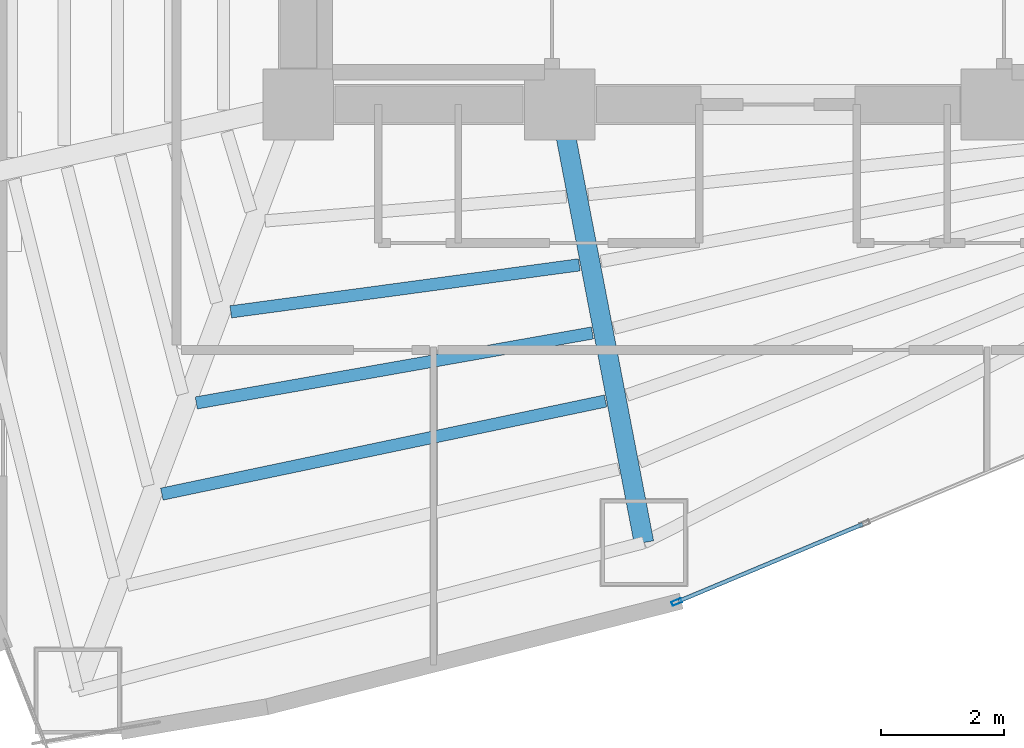
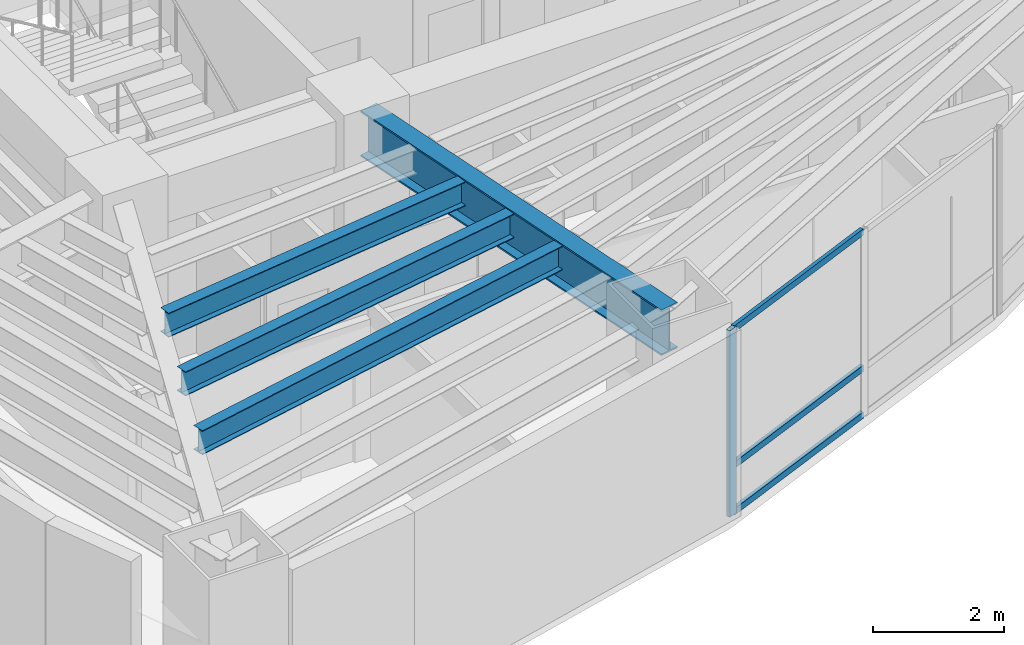
# One storey, part 2 of 17: 4 beams, 4 members, 1 element without a shape of its own.
"""IFC4 building model written with IfcOpenShell, lengths in metres."""

import ifcopenshell
import ifcopenshell.guid

model = None  # the IFC model being written
_history = None  # IfcOwnerHistory: only IFC2X3 demands one
_inside = {}  # id of a spatial element -> (the spatial element, [elements in it])
_under = {}  # id of a project, library or spatial element -> (it, [spatial elements below it])
_declared = {}  # id of a project -> (the project, [libraries it declares])
_typed = {}  # id of a type object -> (the type object, [elements of that type])
_made_of = {}  # id of a material, layer set ... -> (it, [elements and type objects made of it])


def new_model(schema):
    """Start an empty IFC model of exactly this schema.

    Asked for "IFC4X3", IfcOpenShell would pick the latest addendum, in which some entities
    have other attributes; the version numbers below select the first issue.
    IFC2X3 requires an IfcOwnerHistory on every rooted entity: one is made here for all.
    """
    global model, _history
    if schema == "IFC4X3":
        model = ifcopenshell.file(schema_version=(4, 3, 0, 0))
    else:
        model = ifcopenshell.file(schema=schema)
    _inside.clear()
    _under.clear()
    _declared.clear()
    _typed.clear()
    _made_of.clear()
    _history = None
    if model.schema == "IFC2X3":
        org = make("IfcOrganization", Name="unknown")
        user = make(
            "IfcPersonAndOrganization",
            ThePerson=make("IfcPerson", FamilyName="unknown"),
            TheOrganization=org,
        )
        app = make(
            "IfcApplication",
            ApplicationDeveloper=org,
            Version="unknown",
            ApplicationFullName="unknown",
            ApplicationIdentifier="unknown",
        )
        _history = make(
            "IfcOwnerHistory",
            OwningUser=user,
            OwningApplication=app,
            ChangeAction="ADDED",
            CreationDate=0,
        )
    return model


def make(cls, **values):
    """One entity of the class cls with the attributes given. An attribute that is None is left unset."""
    return model.create_entity(
        cls, **{name: value for name, value in values.items() if value is not None}
    )


def rooted(cls, **values):
    """An entity with a GlobalId (a new one), such as an element, a storey or a relation."""
    return make(cls, GlobalId=ifcopenshell.guid.new(), OwnerHistory=_history, **values)


def si_unit(unit_type, name, prefix=None):
    """IfcSIUnit, for example si_unit("LENGTHUNIT", "METRE", prefix="MILLI")."""
    return make("IfcSIUnit", UnitType=unit_type, Prefix=prefix, Name=name)


def assignment(units):
    """IfcUnitAssignment: the units of a project."""
    return None if units is None else make("IfcUnitAssignment", Units=units)


def point(xyz):
    """IfcCartesianPoint."""
    return None if xyz is None else make("IfcCartesianPoint", Coordinates=xyz)


def direction(xyz):
    """IfcDirection."""
    return None if xyz is None else make("IfcDirection", DirectionRatios=xyz)


def frame(location, z_axis=None, x_axis=None):
    """IfcAxis2Placement3D, a coordinate frame: its origin and axes. An axis left out is left unset."""
    return make(
        "IfcAxis2Placement3D",
        Location=point(location),
        Axis=direction(z_axis),
        RefDirection=direction(x_axis),
    )


def frame_2d(location, x_axis=None):
    """IfcAxis2Placement2D, a coordinate frame in the plane: its origin and x axis."""
    return make(
        "IfcAxis2Placement2D", Location=point(location), RefDirection=direction(x_axis)
    )


def origin():
    """The frame at (0, 0, 0) with its axes left unset."""
    return frame((0.0, 0.0, 0.0))


def origin_2d():
    """The frame at (0, 0) in the plane with its x axis left unset."""
    return frame_2d((0.0, 0.0))


def place(relative_to, where):
    """IfcLocalPlacement: puts the frame where relative to a parent placement (None: the world)."""
    return make(
        "IfcLocalPlacement", PlacementRelTo=relative_to, RelativePlacement=where
    )


def context(
    kind, dimensions, precision=None, world=None, true_north=None, identifier=None
):
    """IfcGeometricRepresentationContext, for example the 3D "Model" context."""
    return make(
        "IfcGeometricRepresentationContext",
        ContextIdentifier=identifier,
        ContextType=kind,
        CoordinateSpaceDimension=dimensions,
        Precision=precision,
        WorldCoordinateSystem=world,
        TrueNorth=true_north,
    )


def subcontext(parent, identifier, kind, view, scale=None):
    """IfcGeometricRepresentationSubContext, for example "Body" below "Model"."""
    return make(
        "IfcGeometricRepresentationSubContext",
        ContextIdentifier=identifier,
        ContextType=kind,
        ParentContext=parent,
        TargetScale=scale,
        TargetView=view,
    )


def project(units=None, contexts=None):
    """IfcProject with its units and contexts."""
    return rooted(
        "IfcProject",
        Name="project",
        RepresentationContexts=contexts,
        UnitsInContext=assignment(units),
    )


def spatial(cls, under=None, at=None, **own):
    """A site, building, storey or space (cls), placed at a placement, below another one or the project."""
    s = rooted(cls, ObjectPlacement=at, **own)
    if under is not None:
        _under.setdefault(under.id(), (under, []))[1].append(s)
    return s


def profile(cls, at=None, kind="AREA", **sizes):
    """A parametric profile (cls). Its sizes go by their IFC names, for example OverallWidth=200.0."""
    return make(cls, ProfileType=kind, Position=at, **sizes)


def hollow_rectangle(**sizes):
    """IfcRectangleHollowProfileDef."""
    return profile("IfcRectangleHollowProfileDef", **sizes)


def i_section(**sizes):
    """IfcIShapeProfileDef."""
    return profile("IfcIShapeProfileDef", **sizes)


def extrude(swept, where, along, depth):
    """IfcExtrudedAreaSolid: the profile swept, set in the frame where, extruded along a direction by depth."""
    return make(
        "IfcExtrudedAreaSolid",
        SweptArea=swept,
        Position=where,
        ExtrudedDirection=direction(along),
        Depth=depth,
    )


def shape(context_of_items, identifier, shape_type, items):
    """IfcShapeRepresentation: the items that make up one representation, for example the "Body"."""
    return make(
        "IfcShapeRepresentation",
        ContextOfItems=context_of_items,
        RepresentationIdentifier=identifier,
        RepresentationType=shape_type,
        Items=items,
    )


def material(Name=None, Category=None):
    """IfcMaterial."""
    return make("IfcMaterial", Name=Name, Category=Category)


def layer(
    of_material, thickness, ventilated=None, Name=None, Category=None, Priority=None
):
    """IfcMaterialLayer: one layer of a wall or slab, of a material (None: an air gap)."""
    return make(
        "IfcMaterialLayer",
        Material=of_material,
        LayerThickness=thickness,
        IsVentilated=ventilated,
        Name=Name,
        Category=Category,
        Priority=Priority,
    )


def layer_set(layers, Name=None):
    """IfcMaterialLayerSet."""
    return make("IfcMaterialLayerSet", MaterialLayers=layers, LayerSetName=Name)


def material_profile(
    of_material, cross_section, Name=None, Category=None, Priority=None
):
    """IfcMaterialProfile: a cross section and its material."""
    return make(
        "IfcMaterialProfile",
        Name=Name,
        Material=of_material,
        Profile=cross_section,
        Priority=Priority,
        Category=Category,
    )


def profile_set(profiles, Name=None, composite=None):
    """IfcMaterialProfileSet."""
    return make(
        "IfcMaterialProfileSet",
        Name=Name,
        MaterialProfiles=profiles,
        CompositeProfile=composite,
    )


def made_of(thing, what):
    """Note that an element or type object is made of a material, layer set ...; save() writes the relation."""
    if what is not None:
        _made_of.setdefault(what.id(), (what, []))[1].append(thing)
    return thing


def type_object(cls, material=None, **own):
    """A type object (cls), such as IfcWallType, which elements share."""
    return made_of(rooted(cls, **own), material)


def element(
    cls,
    number,
    at=None,
    inside=None,
    cuts=None,
    type_object=None,
    material=None,
    context=None,
    identifier="Body",
    shape_type=None,
    held_by="IfcProductDefinitionShape",
    body=None,
    shapes=None,
    **own,
):
    """One element of the class cls, such as IfcWall. Its Tag is "e" and its number.

    at: its placement. inside: the storey or other place that contains it. cuts: it is an
    opening in that element (IfcRelVoidsElement). A single representation is given by context,
    identifier, shape_type and body (its items); several are given by shapes. held_by: the class
    of the entity that holds the representations. save() writes the other relations.
    """
    e = rooted(cls, Tag="e%d" % number, ObjectPlacement=at, **own)
    if body is not None:
        shapes = [shape(context, identifier, shape_type, body)]
    if shapes is not None:
        e.Representation = make(held_by, Representations=shapes)
    if inside is not None:
        _inside.setdefault(inside.id(), (inside, []))[1].append(e)
    if cuts is not None:
        rooted(
            "IfcRelVoidsElement", RelatingBuildingElement=cuts, RelatedOpeningElement=e
        )
    if type_object is not None:
        _typed.setdefault(type_object.id(), (type_object, []))[1].append(e)
    return made_of(e, material)


def aggregate(whole, parts):
    """IfcRelAggregates: a whole, such as a stair, and the parts it consists of."""
    return rooted("IfcRelAggregates", RelatingObject=whole, RelatedObjects=parts)


def save(model, path):
    """Write the relations noted so far, then the file.

    IfcRelAggregates (storeys below a building ...), IfcRelContainedInSpatialStructure (elements
    in a storey), IfcRelDefinesByType, IfcRelAssociatesMaterial and IfcRelDeclares: one each for
    every whole, place, type object, material and project.
    """
    for whole, parts in _under.values():
        aggregate(whole, parts)
    for where, things in _inside.values():
        rooted(
            "IfcRelContainedInSpatialStructure",
            RelatedElements=things,
            RelatingStructure=where,
        )
    for kind, things in _typed.values():
        rooted("IfcRelDefinesByType", RelatedObjects=things, RelatingType=kind)
    for what, things in _made_of.values():
        rooted("IfcRelAssociatesMaterial", RelatedObjects=things, RelatingMaterial=what)
    for by, libraries in _declared.values():
        rooted("IfcRelDeclares", RelatingContext=by, RelatedDefinitions=libraries)
    model.write(path)


model = new_model("IFC4")

# Units and contexts
model_context = context("Model", 3, precision=1e-05, world=origin(), true_north=direction((0.0, 1.0)))
body_context = subcontext(model_context, "Body", "Model", "MODEL_VIEW")
ifc_project = project(units=[si_unit("LENGTHUNIT", "METRE"), si_unit("AREAUNIT", "SQUARE_METRE"), si_unit("VOLUMEUNIT", "CUBIC_METRE"), si_unit("PLANEANGLEUNIT", "RADIAN"), si_unit("MASSUNIT", "GRAM", prefix="KILO")], contexts=[model_context])

# Site, building, storey
site_placement = place(None, origin())
site = spatial("IfcSite", under=ifc_project, at=site_placement, CompositionType="ELEMENT")
building_placement = place(site_placement, origin())
building = spatial("IfcBuilding", under=site, at=building_placement, Name="Menara Vayukalpa", CompositionType="ELEMENT")
storey_placement = place(building_placement, frame((0.0, 0.0, 49.919921875)))
storey = spatial("IfcBuildingStorey", under=building, at=storey_placement, Name="L11", CompositionType="ELEMENT", Elevation=49.919921875)

# Beams
ifc_material_1 = material(Name="Steel S355", Category="steel")
ifc_material_profile_1 = material_profile(ifc_material_1, i_section(OverallWidth=0.320068359375, OverallDepth=0.85009765625, WebThickness=0.01611328125, FlangeThickness=0.030029296875, at=origin_2d()), Name="WF 850x320x16x30")
ifc_profile_set_1 = profile_set([ifc_material_profile_1], Name="Steel S355")
beam_type_1 = type_object("IfcBeamType", Name="BM-PG2", PredefinedType="BEAM", material=ifc_profile_set_1)
beam_1_placement = place(storey_placement, frame((22.09716796875, 16.95458984375, 3.045166015625), z_axis=(0.188803432672, -0.982014899995, 0.0), x_axis=(0.982014899995, 0.188803432672, 0.0)))
element("IfcBeam", 1, at=beam_1_placement, inside=storey, type_object=beam_type_1, Name="L11 Primary Radial Girder RG08", PredefinedType="BEAM", context=body_context, shape_type="SweptSolid", body=[
    extrude(i_section(OverallWidth=0.320068359375, OverallDepth=0.85009765625, WebThickness=0.01611328125, FlangeThickness=0.030029296875, at=origin_2d()), origin(), (0.0, 0.0, 1.0), 7.00341796875),
])
ifc_material_2 = material(Name="Steel S355", Category="steel")
ifc_material_profile_2 = material_profile(ifc_material_2, i_section(OverallWidth=0.199951171875, OverallDepth=0.449951171875, WebThickness=0.009033203125, FlangeThickness=0.013916015625, at=origin_2d()), Name="WF 450x200x9x14")
ifc_profile_set_2 = profile_set([ifc_material_profile_2], Name="Steel S355")
beam_type_2 = type_object("IfcBeamType", Name="BM-SJ1", PredefinedType="JOIST", material=ifc_profile_set_2)
beam_2_placement = place(storey_placement, frame((16.702392578125, 13.827880859375, 3.2451171875), z_axis=(0.991021966654, 0.13369914588, 0.0), x_axis=(-0.13369914588, 0.991021966654, 0.0)))
element("IfcBeam", 2, at=beam_2_placement, inside=storey, type_object=beam_type_2, Name="L11 Secondary Floor Joist SJ07-2", PredefinedType="JOIST", context=body_context, shape_type="SweptSolid", body=[
    extrude(i_section(OverallWidth=0.199951171875, OverallDepth=0.449951171875, WebThickness=0.009033203125, FlangeThickness=0.013916015625, at=origin_2d()), origin(), (0.0, 0.0, 1.0), 5.71728515625),
])
beam_3_placement = place(storey_placement, frame((16.14208984375, 12.34716796875, 3.2451171875), z_axis=(0.984753096925, 0.173957862993, 0.0), x_axis=(-0.173957862993, 0.984753096925, 0.0)))
element("IfcBeam", 3, at=beam_3_placement, inside=storey, type_object=beam_type_2, Name="L11 Secondary Floor Joist SJ07-3", PredefinedType="JOIST", context=body_context, shape_type="SweptSolid", body=[
    extrude(i_section(OverallWidth=0.199951171875, OverallDepth=0.449951171875, WebThickness=0.009033203125, FlangeThickness=0.013916015625, at=origin_2d()), origin(), (0.0, 0.0, 1.0), 6.53857421875),
])
beam_4_placement = place(storey_placement, frame((15.581787109375, 10.86474609375, 3.2451171875), z_axis=(0.978676146728, 0.205409346977, 0.0), x_axis=(-0.205409346977, 0.978676146728, 0.0)))
element("IfcBeam", 4, at=beam_4_placement, inside=storey, type_object=beam_type_2, Name="L11 Secondary Floor Joist SJ07-4", PredefinedType="JOIST", context=body_context, shape_type="SweptSolid", body=[
    extrude(i_section(OverallWidth=0.199951171875, OverallDepth=0.449951171875, WebThickness=0.009033203125, FlangeThickness=0.013916015625, at=origin_2d()), origin(), (0.0, 0.0, 1.0), 7.369140625),
])

# Curtain wall, members
ifc_material_3 = material(Name="Anodised Terracotta Aluminium Alloy 6063-T6", Category="masonry")
ifc_layer = layer(ifc_material_3, 0.1650390625)
ifc_layer_set = layer_set([ifc_layer], Name="Anodised Terracotta Aluminium Alloy 6063-T6")
curtain_wall_type = type_object("IfcCurtainWallType", Name="CW-CW2", PredefinedType="USERDEFINED", material=ifc_layer_set)
curtain_wall_placement = place(storey_placement, origin())
curtain_wall = element("IfcCurtainWall", 5, at=curtain_wall_placement, inside=storey, type_object=curtain_wall_type, Name="L11 Low Rise Terracotta Ribbon Curtain Wall CW2 16", ObjectType="UNITISED", PredefinedType="USERDEFINED")
ifc_material_4 = material(Name="Anodised Terracotta Aluminium Alloy 6063-T6", Category="masonry")
ifc_material_profile_3 = material_profile(ifc_material_4, hollow_rectangle(XDim=0.070068359375, YDim=0.1650390625, WallThickness=0.00390625, at=origin_2d()), Name="ALU 70x165x4")
ifc_profile_set_3 = profile_set([ifc_material_profile_3], Name="Anodised Terracotta Aluminium Alloy 6063-T6")
member_type_1 = type_object("IfcMemberType", Name="CWM-CW2", PredefinedType="MULLION", material=ifc_profile_set_3)
member_1_placement = place(storey_placement, frame((23.950927734375, 9.110595703125, 0.0), z_axis=(0.0, 0.0, 1.0), x_axis=(-0.385895120445, 0.922542658101, 0.0)))
member_1 = element("IfcMember", 6, at=member_1_placement, type_object=member_type_1, Name="CW2 mullion 1", PredefinedType="MULLION", context=body_context, shape_type="SweptSolid", body=[
    extrude(hollow_rectangle(XDim=0.070068359375, YDim=0.1650390625, WallThickness=0.00390625, at=origin_2d()), origin(), (0.0, 0.0, 1.0), 3.469970703125),
])
ifc_material_5 = material(Name="Anodised Terracotta Aluminium Alloy 6063-T6", Category="masonry")
ifc_material_profile_4 = material_profile(ifc_material_5, hollow_rectangle(XDim=0.06494140625, YDim=0.1201171875, WallThickness=0.00341796875, at=origin_2d()), Name="ALU 65x120x3.5")
ifc_profile_set_4 = profile_set([ifc_material_profile_4], Name="Anodised Terracotta Aluminium Alloy 6063-T6")
member_type_2 = type_object("IfcMemberType", Name="CWT-CW2", PredefinedType="USERDEFINED", material=ifc_profile_set_4)
member_2_placement = place(storey_placement, frame((23.983154296875, 9.1240234375, 0.032470703125), z_axis=(0.922552588381, 0.385871379699, 0.0), x_axis=(-0.385871379699, 0.922552588381, 0.0)))
member_2 = element("IfcMember", 7, at=member_2_placement, type_object=member_type_2, Name="CW2 transom 1.1", ObjectType="TRANSOM", PredefinedType="USERDEFINED", context=body_context, shape_type="SweptSolid", body=[
    extrude(hollow_rectangle(XDim=0.06494140625, YDim=0.1201171875, WallThickness=0.00341796875, at=origin_2d()), origin(), (0.0, 0.0, 1.0), 3.24267578125),
])
member_3_placement = place(storey_placement, frame((23.983154296875, 9.1240234375, 0.900146484375), z_axis=(0.922552588381, 0.385871379699, 0.0), x_axis=(-0.385871379699, 0.922552588381, 0.0)))
member_3 = element("IfcMember", 8, at=member_3_placement, type_object=member_type_2, Name="CW2 transom 1.2", ObjectType="TRANSOM", PredefinedType="USERDEFINED", context=body_context, shape_type="SweptSolid", body=[
    extrude(hollow_rectangle(XDim=0.06494140625, YDim=0.1201171875, WallThickness=0.00341796875, at=origin_2d()), origin(), (0.0, 0.0, 1.0), 3.24267578125),
])
member_4_placement = place(storey_placement, frame((23.983154296875, 9.1240234375, 3.4375), z_axis=(0.922552588381, 0.385871379699, 0.0), x_axis=(-0.385871379699, 0.922552588381, 0.0)))
member_4 = element("IfcMember", 9, at=member_4_placement, type_object=member_type_2, Name="CW2 transom 1.3", ObjectType="TRANSOM", PredefinedType="USERDEFINED", context=body_context, shape_type="SweptSolid", body=[
    extrude(hollow_rectangle(XDim=0.06494140625, YDim=0.1201171875, WallThickness=0.00341796875, at=origin_2d()), origin(), (0.0, 0.0, 1.0), 3.24267578125),
])
aggregate(curtain_wall, [member_1, member_2, member_3, member_4])

save(model, "model.ifc")
